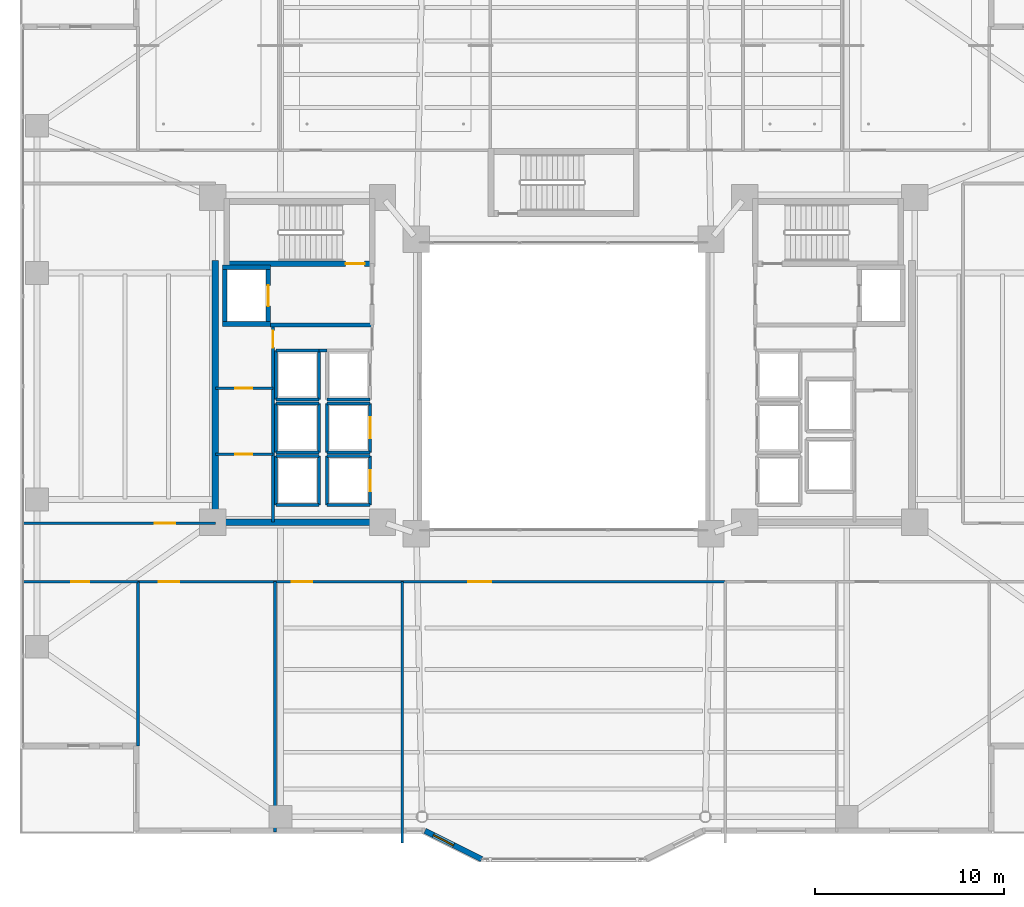
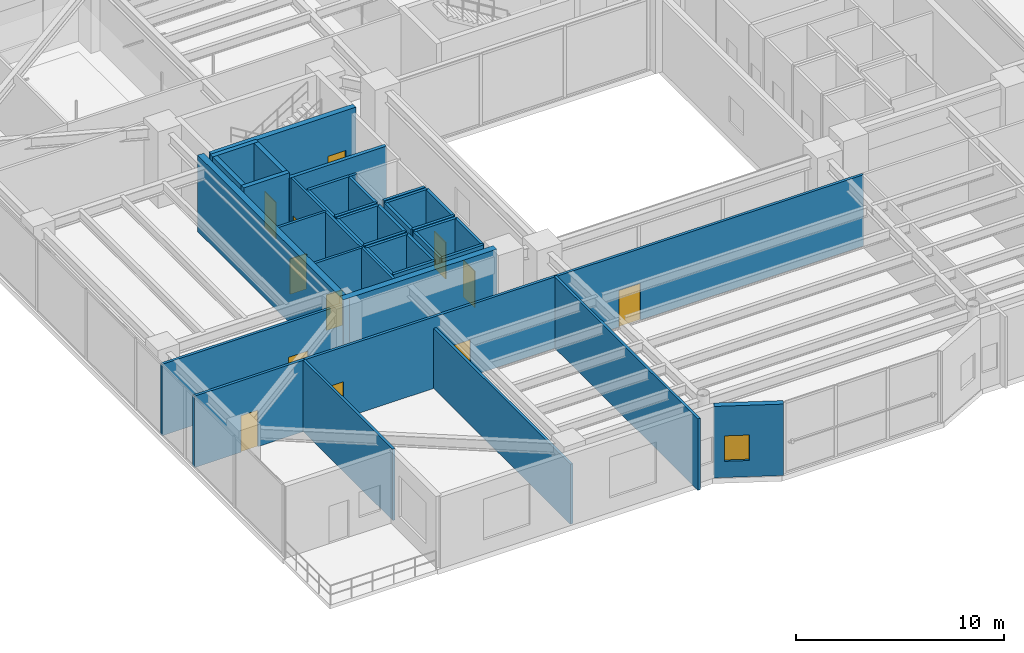
# One storey, part 29 of 39: 41 walls, 12 doors, 1 window, 13 openings.
"""IFC4 building model written with IfcOpenShell, lengths in metres."""

from ifc_helpers import new_model, si_unit, direction, frame, frame_2d, origin, place, context, subcontext, project, spatial, rectangle, extrude, material, layer, layer_set, type_object, element, fill, save


model = new_model("IFC4")

# Units and contexts
model_context = context("Model", 3, precision=1e-05, world=origin(), true_north=direction((0.0, 1.0)))
body_context = subcontext(model_context, "Body", "Model", "MODEL_VIEW")
ifc_project = project(units=[si_unit("LENGTHUNIT", "METRE"), si_unit("AREAUNIT", "SQUARE_METRE"), si_unit("VOLUMEUNIT", "CUBIC_METRE"), si_unit("PLANEANGLEUNIT", "RADIAN"), si_unit("MASSUNIT", "GRAM", prefix="KILO")], contexts=[model_context])

# Site, building, storey
site_placement = place(None, origin())
site = spatial("IfcSite", under=ifc_project, at=site_placement, CompositionType="ELEMENT")
building_placement = place(site_placement, origin())
building = spatial("IfcBuilding", under=site, at=building_placement, Name="Tarnavaz Court Tower", CompositionType="ELEMENT")
storey_placement = place(building_placement, frame((0.0, 0.0, 68.699951171875)))
storey = spatial("IfcBuildingStorey", under=building, at=storey_placement, Name="L18", CompositionType="ELEMENT", Elevation=68.699951171875)

# Wall
ifc_material_1 = material(Name="Concrete C60/75", Category="concrete")
ifc_layer_1 = layer(ifc_material_1, 0.25)
ifc_layer_set_1 = layer_set([ifc_layer_1], Name="Concrete C60/75")
wall_type_1 = type_object("IfcWallType", Name="WL-CORE-250-C60", PredefinedType="SHEAR", material=ifc_layer_set_1)
wall_1_placement = place(storey_placement, frame((-17.949951171875, 3.175048828125, 0.0), z_axis=(0.0, 0.0, 1.0), x_axis=(0.0, 1.0, 0.0)))
element("IfcWall", 1, at=wall_1_placement, inside=storey, type_object=wall_type_1, Name="L18 Lift FL-W1 Shaft Wall 017", PredefinedType="SHEAR", context=body_context, shape_type="SweptSolid", body=[
    extrude(rectangle(XDim=3.25, YDim=0.25, at=frame_2d((1.625, 0.0))), origin(), (0.0, 0.0, 1.0), 4.5),
])

# Wall, opening, door
wall_2_placement = place(storey_placement, frame((-15.64990234375, 3.175048828125, 0.0), z_axis=(0.0, 0.0, 1.0), x_axis=(0.0, 1.0, 0.0)))
wall_2 = element("IfcWall", 2, at=wall_2_placement, inside=storey, type_object=wall_type_1, Name="L18 Lift FL-W1 Shaft Wall 018", PredefinedType="SHEAR", context=body_context, shape_type="SweptSolid", body=[
    extrude(rectangle(XDim=3.25, YDim=0.25, at=frame_2d((1.625, 0.0))), origin(), (0.0, 0.0, 1.0), 4.5),
])
opening_1_placement = place(wall_2_placement, frame((1.074951171875, 0.0, 0.0)))
opening_1 = element("IfcOpeningElement", 3, at=opening_1_placement, cuts=wall_2, Name="Opening LD1", PredefinedType="OPENING", context=body_context, shape_type="SweptSolid", body=[
    extrude(rectangle(XDim=1.10009765625, YDim=2.14990234375, at=frame_2d((0.550048828125, 1.074951171875))), frame((0.0, 0.135009765625, 0.0), z_axis=(0.0, -1.0, 0.0), x_axis=(1.0, 0.0, 0.0)), (0.0, 0.0, 1.0), 0.27001953125),
])
ifc_material_2 = material(Name="Stainless Steel", Category="steel")
door_type_1 = type_object("IfcDoorType", Name="DR-LD-1100", OperationType="NOTDEFINED", PredefinedType="DOOR", material=ifc_material_2)
door_1_placement = place(opening_1_placement, origin())
door_1 = element("IfcDoor", 4, at=door_1_placement, inside=storey, type_object=door_type_1, Name="L18 Lift Landing Door LD-FL-W1", OperationType="SLIDING_TO_LEFT", OverallHeight=2.14990234375, OverallWidth=1.10009765625, PredefinedType="DOOR", context=body_context, shape_type="SweptSolid", body=[
    extrude(rectangle(XDim=1.10009765625, YDim=2.14990234375, at=frame_2d((0.550048828125, 1.074951171875))), frame((0.0, 0.02490234375, 0.0), z_axis=(0.0, -1.0, 0.0), x_axis=(1.0, 0.0, 0.0)), (0.0, 0.0, 1.0), 0.050048828125),
])
fill(opening_1, door_1)

# Walls
for number, where, z_axis, x_axis, name in (
    (5, (-18.074951171875, 3.300048828125, 0.0), (0.0, 0.0, 1.0), (1.0, 0.0, 0.0), "L18 Lift FL-W1 Shaft Wall 019"),
    (6, (-18.074951171875, 6.300048828125, 0.0), (0.0, 0.0, 1.0), (1.0, 0.0, 0.0), "L18 Lift FL-W1 Shaft Wall 020"),
):
    element("IfcWall", number, at=place(storey_placement, frame(where, z_axis=z_axis, x_axis=x_axis)), inside=storey, type_object=wall_type_1, Name=name, PredefinedType="SHEAR", context=body_context, shape_type="SweptSolid", body=[
        extrude(rectangle(XDim=2.550048828125, YDim=0.25, at=frame_2d((1.27490234375, 0.0))), origin(), (0.0, 0.0, 1.0), 4.5),
    ])

# Wall, opening, door
ifc_layer_2 = layer(ifc_material_1, 0.300048828125)
ifc_layer_set_2 = layer_set([ifc_layer_2], Name="Concrete C60/75")
wall_type_2 = type_object("IfcWallType", Name="WL-CORE-300-C60", PredefinedType="SHEAR", material=ifc_layer_set_2)
wall_3_placement = place(storey_placement, frame((-18.0, 6.5, 0.0), z_axis=(0.0, 0.0, 1.0), x_axis=(1.0, 0.0, 0.0)))
wall_3 = element("IfcWall", 7, at=wall_3_placement, inside=storey, type_object=wall_type_2, Name="L18 West Stair Core Wall 002", PredefinedType="SHEAR", context=body_context, shape_type="SweptSolid", body=[
    extrude(rectangle(XDim=8.0, YDim=0.300048828125, at=frame_2d((4.0, 0.0))), origin(), (0.0, 0.0, 1.0), 4.5),
])
opening_2_placement = place(wall_3_placement, frame((6.449951171875, 0.0, 0.0)))
opening_2 = element("IfcOpeningElement", 8, at=opening_2_placement, cuts=wall_3, Name="Opening D01", PredefinedType="OPENING", context=body_context, shape_type="SweptSolid", body=[
    extrude(rectangle(XDim=1.0, YDim=2.14990234375, at=frame_2d((0.5, 1.074951171875))), frame((0.0, 0.159912109375, 0.0), z_axis=(0.0, -1.0, 0.0), x_axis=(1.0, 0.0, 0.0)), (0.0, 0.0, 1.0), 0.320068359375),
])
ifc_material_3 = material(Name="Fire-Rated Hardwood Timber Core", Category="wood")
door_type_2 = type_object("IfcDoorType", Name="DR-FD90-1000", OperationType="NOTDEFINED", PredefinedType="DOOR", material=ifc_material_3)
door_2_placement = place(opening_2_placement, origin())
door_2 = element("IfcDoor", 9, at=door_2_placement, inside=storey, type_object=door_type_2, Name="L18 Stair ST-W1 Exit Door", OperationType="SINGLE_SWING_LEFT", OverallHeight=2.14990234375, OverallWidth=1.0, PredefinedType="DOOR", context=body_context, shape_type="SweptSolid", body=[
    extrude(rectangle(XDim=1.0, YDim=2.14990234375, at=frame_2d((0.5, 1.074951171875))), frame((0.0, 0.02490234375, 0.0), z_axis=(0.0, -1.0, 0.0), x_axis=(1.0, 0.0, 0.0)), (0.0, 0.0, 1.0), 0.050048828125),
])
fill(opening_2, door_2)

# Walls
ifc_layer_3 = layer(ifc_material_1, 0.35009765625)
ifc_layer_set_3 = layer_set([ifc_layer_3], Name="Concrete C60/75")
wall_type_3 = type_object("IfcWallType", Name="WL-CORE-350-C60", PredefinedType="SHEAR", material=ifc_layer_set_3)
wall_4_placement = place(storey_placement, frame((-18.449951171875, -7.375, 0.0), z_axis=(0.0, 0.0, 1.0), x_axis=(0.0, 1.0, 0.0)))
element("IfcWall", 10, at=wall_4_placement, inside=storey, type_object=wall_type_3, Name="L18 West Core Shear Wall 069", PredefinedType="SHEAR", context=body_context, shape_type="SweptSolid", body=[
    extrude(rectangle(XDim=14.050048828125, YDim=0.35009765625, at=frame_2d((7.02490234375, 0.0))), origin(), (0.0, 0.0, 1.0), 4.5),
])
wall_5_placement = place(storey_placement, frame((-18.625, -7.199951171875, 0.0), z_axis=(0.0, 0.0, 1.0), x_axis=(1.0, 0.0, 0.0)))
element("IfcWall", 11, at=wall_5_placement, inside=storey, type_object=wall_type_3, Name="L18 West Core South Shear Wall 070", PredefinedType="SHEAR", context=body_context, shape_type="SweptSolid", body=[
    extrude(rectangle(XDim=8.550048828125, YDim=0.35009765625, at=frame_2d((4.27490234375, 0.0))), origin(), (0.0, 0.0, 1.0), 4.5),
])

# Wall, opening, window
ifc_material_4 = material(Name="Precast Concrete C40/50", Category="concrete")
ifc_layer_4 = layer(ifc_material_4, 0.300048828125)
ifc_layer_set_4 = layer_set([ifc_layer_4], Name="Precast Concrete C40/50")
wall_type_4 = type_object("IfcWallType", Name="WL-EXT-300", PredefinedType="SOLIDWALL", material=ifc_layer_set_4)
wall_6_placement = place(storey_placement, frame((-4.35009765625, -25.050048828125, 0.0), z_axis=(0.0, 0.0, 1.0), x_axis=(-0.894427191, 0.4472135955, 0.0)))
wall_6 = element("IfcWall", 12, at=wall_6_placement, inside=storey, type_object=wall_type_4, Name="L18 Exterior Terracotta Facade Wall 18", PredefinedType="SOLIDWALL", context=body_context, shape_type="SweptSolid", body=[
    extrude(rectangle(XDim=3.35400390625, YDim=0.300048828125, at=frame_2d((1.677001953125, 0.0))), origin(), (0.0, 0.0, 1.0), 4.199951171875),
])
opening_3_placement = place(wall_6_placement, frame((1.65283203125, 0.0, 0.949951171875)))
opening_3 = element("IfcOpeningElement", 13, at=opening_3_placement, cuts=wall_6, Name="Opening W05", PredefinedType="OPENING", context=body_context, shape_type="SweptSolid", body=[
    extrude(rectangle(XDim=1.199951171875, YDim=1.5, at=frame_2d((0.60009765625, 0.75))), frame((0.0, 0.159912109375, 0.0), z_axis=(0.0, -1.0, 0.0), x_axis=(1.0, 0.0, 0.0)), (0.0, 0.0, 1.0), 0.320068359375),
])
ifc_material_5 = material(Name="Double-Glazed Solar Low-E Glass", Category="glass")
window_type = type_object("IfcWindowType", Name="WN-APT-1200", PartitioningType="SINGLE_PANEL", PredefinedType="WINDOW", material=ifc_material_5)
window_placement = place(opening_3_placement, origin())
window = element("IfcWindow", 14, at=window_placement, inside=storey, type_object=window_type, Name="L18 L18 Central Iwan Cultural Exhibition Hall Window", OverallHeight=1.5, OverallWidth=1.199951171875, PartitioningType="SINGLE_PANEL", PredefinedType="WINDOW", context=body_context, shape_type="SweptSolid", body=[
    extrude(rectangle(XDim=1.199951171875, YDim=1.5, at=frame_2d((0.60009765625, 0.75))), frame((0.0, 0.030029296875, 0.0), z_axis=(0.0, -1.0, 0.0), x_axis=(1.0, 0.0, 0.0)), (0.0, 0.0, 1.0), 0.06005859375),
])
fill(opening_3, window)

# Wall, openings, doors
ifc_material_6 = material(Name="Gypsum Fire-Board on Acoustic Metal Stud", Category="masonry")
ifc_layer_5 = layer(ifc_material_6, 0.14990234375)
ifc_layer_set_5 = layer_set([ifc_layer_5], Name="Gypsum Fire-Board on Acoustic Metal Stud")
wall_type_5 = type_object("IfcWallType", Name="WL-FIRE-150", PredefinedType="PARTITIONING", material=ifc_layer_set_5)
wall_7_placement = place(storey_placement, frame((-22.550048828125, -10.35009765625, 0.0), z_axis=(0.0, 0.0, 1.0), x_axis=(1.0, 0.0, 0.0)))
wall_7 = element("IfcWall", 15, at=wall_7_placement, inside=storey, type_object=wall_type_5, Name="L18 SW Corridor Wall 085", PredefinedType="PARTITIONING", context=body_context, shape_type="SweptSolid", body=[
    extrude(rectangle(XDim=14.0, YDim=0.14990234375, at=frame_2d((7.0, 0.0))), origin(), (0.0, 0.0, 1.0), 4.199951171875),
])
opening_4_placement = place(wall_7_placement, frame((1.10009765625, 0.0, 0.0)))
opening_4 = element("IfcOpeningElement", 16, at=opening_4_placement, cuts=wall_7, Name="Opening D12", PredefinedType="OPENING", context=body_context, shape_type="SweptSolid", body=[
    extrude(rectangle(XDim=1.080078125, YDim=2.14990234375, at=frame_2d((0.5400390625, 1.074951171875))), frame((0.0, 0.0849609375, 0.0), z_axis=(0.0, -1.0, 0.0), x_axis=(1.0, 0.0, 0.0)), (0.0, 0.0, 1.0), 0.169921875),
])
opening_5_placement = place(wall_7_placement, frame((8.154052734375, 0.0, 0.0)))
opening_5 = element("IfcOpeningElement", 17, at=opening_5_placement, cuts=wall_7, Name="Opening D12", PredefinedType="OPENING", context=body_context, shape_type="SweptSolid", body=[
    extrude(rectangle(XDim=1.080078125, YDim=2.14990234375, at=frame_2d((0.5400390625, 1.074951171875))), frame((0.0, 0.0849609375, 0.0), z_axis=(0.0, -1.0, 0.0), x_axis=(1.0, 0.0, 0.0)), (0.0, 0.0, 1.0), 0.169921875),
])
ifc_material_7 = material(Name="Engineered Oak Timber", Category="wood")
door_type_3 = type_object("IfcDoorType", Name="DR-INT-1100", OperationType="NOTDEFINED", PredefinedType="DOOR", material=ifc_material_7)
door_3_placement = place(opening_4_placement, origin())
door_3 = element("IfcDoor", 18, at=door_3_placement, inside=storey, type_object=door_type_3, Name="L18 Children Playroom Studio Door", OperationType="SINGLE_SWING_LEFT", OverallHeight=2.14990234375, OverallWidth=1.080078125, PredefinedType="DOOR", context=body_context, shape_type="SweptSolid", body=[
    extrude(rectangle(XDim=1.080078125, YDim=2.14990234375, at=frame_2d((0.5400390625, 1.074951171875))), frame((0.0, 0.02490234375, 0.0), z_axis=(0.0, -1.0, 0.0), x_axis=(1.0, 0.0, 0.0)), (0.0, 0.0, 1.0), 0.050048828125),
])
fill(opening_4, door_3)
door_4_placement = place(opening_5_placement, origin())
door_4 = element("IfcDoor", 19, at=door_4_placement, inside=storey, type_object=door_type_3, Name="L18 SW Study Room Door", OperationType="SINGLE_SWING_RIGHT", OverallHeight=2.14990234375, OverallWidth=1.080078125, PredefinedType="DOOR", context=body_context, shape_type="SweptSolid", body=[
    extrude(rectangle(XDim=1.080078125, YDim=2.14990234375, at=frame_2d((0.5400390625, 1.074951171875))), frame((0.0, 0.02490234375, 0.0), z_axis=(0.0, -1.0, 0.0), x_axis=(1.0, 0.0, 0.0)), (0.0, 0.0, 1.0), 0.050048828125),
])
fill(opening_5, door_4)

# Wall, opening, door
wall_8_placement = place(storey_placement, frame((-8.550048828125, -10.35009765625, 0.0), z_axis=(0.0, 0.0, 1.0), x_axis=(1.0, 0.0, 0.0)))
wall_8 = element("IfcWall", 20, at=wall_8_placement, inside=storey, type_object=wall_type_5, Name="L18 South Ring Corridor Wall 086", PredefinedType="PARTITIONING", context=body_context, shape_type="SweptSolid", body=[
    extrude(rectangle(XDim=17.10009765625, YDim=0.14990234375, at=frame_2d((8.550048828125, 0.0))), origin(), (0.0, 0.0, 1.0), 4.199951171875),
])
opening_6_placement = place(wall_8_placement, frame((3.5, 0.0, 0.0)))
opening_6 = element("IfcOpeningElement", 21, at=opening_6_placement, cuts=wall_8, Name="Opening D11", PredefinedType="OPENING", context=body_context, shape_type="SweptSolid", body=[
    extrude(rectangle(XDim=1.199951171875, YDim=2.14990234375, at=frame_2d((0.60009765625, 1.074951171875))), frame((0.0, 0.0849609375, 0.0), z_axis=(0.0, -1.0, 0.0), x_axis=(1.0, 0.0, 0.0)), (0.0, 0.0, 1.0), 0.169921875),
])
door_type_4 = type_object("IfcDoorType", Name="DR-INT-1200", OperationType="NOTDEFINED", PredefinedType="DOOR", material=ifc_material_7)
door_5_placement = place(opening_6_placement, origin())
door_5 = element("IfcDoor", 22, at=door_5_placement, inside=storey, type_object=door_type_4, Name="L18 Central Iwan Hall Door", OperationType="SINGLE_SWING_LEFT", OverallHeight=2.14990234375, OverallWidth=1.199951171875, PredefinedType="DOOR", context=body_context, shape_type="SweptSolid", body=[
    extrude(rectangle(XDim=1.199951171875, YDim=2.14990234375, at=frame_2d((0.60009765625, 1.074951171875))), frame((0.0, 0.02490234375, 0.0), z_axis=(0.0, -1.0, 0.0), x_axis=(1.0, 0.0, 0.0)), (0.0, 0.0, 1.0), 0.050048828125),
])
fill(opening_6, door_5)

wall_9_placement = place(storey_placement, frame((-28.679931640625, -7.25, 0.0), z_axis=(0.0, 0.0, 1.0), x_axis=(1.0, 0.0, 0.0)))
wall_9 = element("IfcWall", 23, at=wall_9_placement, inside=storey, type_object=wall_type_5, Name="L18 Interior Partition 098", PredefinedType="PARTITIONING", context=body_context, shape_type="SweptSolid", body=[
    extrude(rectangle(XDim=10.22998046875, YDim=0.14990234375, at=frame_2d((5.114990234375, 0.0))), origin(), (0.0, 0.0, 1.0), 4.199951171875),
])
opening_7_placement = place(wall_9_placement, frame((7.030029296875, 0.0, 0.0)))
opening_7 = element("IfcOpeningElement", 24, at=opening_7_placement, cuts=wall_9, Name="Opening D12", PredefinedType="OPENING", context=body_context, shape_type="SweptSolid", body=[
    extrude(rectangle(XDim=1.080078125, YDim=2.14990234375, at=frame_2d((0.5400390625, 1.074951171875))), frame((0.0, 0.0849609375, 0.0), z_axis=(0.0, -1.0, 0.0), x_axis=(1.0, 0.0, 0.0)), (0.0, 0.0, 1.0), 0.169921875),
])
door_6_placement = place(opening_7_placement, origin())
door_6 = element("IfcDoor", 25, at=door_6_placement, inside=storey, type_object=door_type_3, Name="L18 West Panoramic Lounge Door", OperationType="SINGLE_SWING_RIGHT", OverallHeight=2.14990234375, OverallWidth=1.080078125, PredefinedType="DOOR", context=body_context, shape_type="SweptSolid", body=[
    extrude(rectangle(XDim=1.080078125, YDim=2.14990234375, at=frame_2d((0.5400390625, 1.074951171875))), frame((0.0, 0.02490234375, 0.0), z_axis=(0.0, -1.0, 0.0), x_axis=(1.0, 0.0, 0.0)), (0.0, 0.0, 1.0), 0.050048828125),
])
fill(opening_7, door_6)

wall_10_placement = place(storey_placement, frame((-28.679931640625, -10.35009765625, 0.0), z_axis=(0.0, 0.0, 1.0), x_axis=(1.0, 0.0, 0.0)))
wall_10 = element("IfcWall", 26, at=wall_10_placement, inside=storey, type_object=wall_type_5, Name="L18 Interior Partition 108", PredefinedType="PARTITIONING", context=body_context, shape_type="SweptSolid", body=[
    extrude(rectangle(XDim=6.1298828125, YDim=0.14990234375, at=frame_2d((3.06494140625, 0.0))), origin(), (0.0, 0.0, 1.0), 4.199951171875),
])
opening_8_placement = place(wall_10_placement, frame((2.590087890625, 0.0, 0.0)))
opening_8 = element("IfcOpeningElement", 27, at=opening_8_placement, cuts=wall_10, Name="Opening D13", PredefinedType="OPENING", context=body_context, shape_type="SweptSolid", body=[
    extrude(rectangle(XDim=0.949951171875, YDim=2.14990234375, at=frame_2d((0.47509765625, 1.074951171875))), frame((0.0, 0.0849609375, 0.0), z_axis=(0.0, -1.0, 0.0), x_axis=(1.0, 0.0, 0.0)), (0.0, 0.0, 1.0), 0.169921875),
])
door_type_5 = type_object("IfcDoorType", Name="DR-INT-950", OperationType="NOTDEFINED", PredefinedType="DOOR", material=ifc_material_7)
door_7_placement = place(opening_8_placement, origin())
door_7 = element("IfcDoor", 28, at=door_7_placement, inside=storey, type_object=door_type_5, Name="L18 SW Terrace Salon Door", OperationType="SINGLE_SWING_RIGHT", OverallHeight=2.14990234375, OverallWidth=0.949951171875, PredefinedType="DOOR", context=body_context, shape_type="SweptSolid", body=[
    extrude(rectangle(XDim=0.949951171875, YDim=2.14990234375, at=frame_2d((0.47509765625, 1.074951171875))), frame((0.0, 0.02490234375, 0.0), z_axis=(0.0, -1.0, 0.0), x_axis=(1.0, 0.0, 0.0)), (0.0, 0.0, 1.0), 0.050048828125),
])
fill(opening_8, door_7)

# Walls
ifc_material_8 = material(Name="Autoclaved Aerated Concrete Blockwork", Category="masonry")
ifc_layer_6 = layer(ifc_material_8, 0.199951171875)
ifc_layer_set_6 = layer_set([ifc_layer_6], Name="Autoclaved Aerated Concrete Blockwork")
wall_type_6 = type_object("IfcWallType", Name="WL-FIRE-200", PredefinedType="SOLIDWALL", material=ifc_layer_set_6)
wall_11_placement = place(storey_placement, frame((-15.550048828125, 3.25, 0.0), z_axis=(0.0, 0.0, 1.0), x_axis=(1.0, 0.0, 0.0)))
element("IfcWall", 29, at=wall_11_placement, inside=storey, type_object=wall_type_6, Name="L18 West Firefighting Lobby Wall 013", PredefinedType="SOLIDWALL", context=body_context, shape_type="SweptSolid", body=[
    extrude(rectangle(XDim=5.400146484375, YDim=0.199951171875, at=frame_2d((2.7001953125, 0.0))), origin(), (0.0, 0.0, 1.0), 4.199951171875),
])
ifc_material_9 = material(Name="Gypsum Plasterboard Acoustic Partition", Category="masonry")
ifc_layer_7 = layer(ifc_material_9, 0.139892578125)
ifc_layer_set_7 = layer_set([ifc_layer_7], Name="Gypsum Plasterboard Acoustic Partition")
wall_type_7 = type_object("IfcWallType", Name="WL-PART-150", PredefinedType="PARTITIONING", material=ifc_layer_set_7)
wall_12_placement = place(storey_placement, frame((-12.949951171875, 1.89990234375, 0.0), z_axis=(0.0, 0.0, 1.0), x_axis=(1.0, 0.0, 0.0)))
element("IfcWall", 30, at=wall_12_placement, inside=storey, type_object=wall_type_7, Name="L18 Interior Partition 073", PredefinedType="PARTITIONING", context=body_context, shape_type="SweptSolid", body=[
    extrude(rectangle(XDim=0.39990234375, YDim=0.139892578125, at=frame_2d((0.199951171875, 0.0))), origin(), (0.0, 0.0, 1.0), 4.199951171875),
])

# Wall, opening, door
wall_13_placement = place(storey_placement, frame((-15.39990234375, -7.199951171875, 0.0), z_axis=(0.0, 0.0, 1.0), x_axis=(0.0, 1.0, 0.0)))
wall_13 = element("IfcWall", 31, at=wall_13_placement, inside=storey, type_object=wall_type_7, Name="L18 Interior Partition 075", PredefinedType="PARTITIONING", context=body_context, shape_type="SweptSolid", body=[
    extrude(rectangle(XDim=10.449951171875, YDim=0.139892578125, at=frame_2d((5.22509765625, 0.0))), origin(), (0.0, 0.0, 1.0), 4.199951171875),
])
opening_9_placement = place(wall_13_placement, frame((9.25, 0.0, 0.0)))
opening_9 = element("IfcOpeningElement", 32, at=opening_9_placement, cuts=wall_13, Name="Opening D09", PredefinedType="OPENING", context=body_context, shape_type="SweptSolid", body=[
    extrude(rectangle(XDim=0.89990234375, YDim=2.080078125, at=frame_2d((0.449951171875, 1.0400390625))), frame((0.0, 0.079833984375, 0.0), z_axis=(0.0, -1.0, 0.0), x_axis=(1.0, 0.0, 0.0)), (0.0, 0.0, 1.0), 0.159912109375),
])
door_type_6 = type_object("IfcDoorType", Name="DR-FD30-900", OperationType="NOTDEFINED", PredefinedType="DOOR", material=ifc_material_3)
door_8_placement = place(opening_9_placement, origin())
door_8 = element("IfcDoor", 33, at=door_8_placement, inside=storey, type_object=door_type_6, Name="L18 West ICT Comms Door", OperationType="SINGLE_SWING_LEFT", OverallHeight=2.080078125, OverallWidth=0.89990234375, PredefinedType="DOOR", context=body_context, shape_type="SweptSolid", body=[
    extrude(rectangle(XDim=0.89990234375, YDim=2.080078125, at=frame_2d((0.449951171875, 1.0400390625))), frame((0.0, 0.02490234375, 0.0), z_axis=(0.0, -1.0, 0.0), x_axis=(1.0, 0.0, 0.0)), (0.0, 0.0, 1.0), 0.050048828125),
])
fill(opening_9, door_8)

wall_14_placement = place(storey_placement, frame((-18.449951171875, -3.60009765625, 0.0), z_axis=(0.0, 0.0, 1.0), x_axis=(1.0, 0.0, 0.0)))
wall_14 = element("IfcWall", 34, at=wall_14_placement, inside=storey, type_object=wall_type_7, Name="L18 Interior Partition 076", PredefinedType="PARTITIONING", context=body_context, shape_type="SweptSolid", body=[
    extrude(rectangle(XDim=3.050048828125, YDim=0.139892578125, at=frame_2d((1.52490234375, 0.0))), origin(), (0.0, 0.0, 1.0), 4.199951171875),
])
opening_10_placement = place(wall_14_placement, frame((1.050048828125, 0.0, 0.0)))
opening_10 = element("IfcOpeningElement", 35, at=opening_10_placement, cuts=wall_14, Name="Opening D09", PredefinedType="OPENING", context=body_context, shape_type="SweptSolid", body=[
    extrude(rectangle(XDim=0.89990234375, YDim=2.080078125, at=frame_2d((0.449951171875, 1.0400390625))), frame((0.0, 0.079833984375, 0.0), z_axis=(0.0, -1.0, 0.0), x_axis=(1.0, 0.0, 0.0)), (0.0, 0.0, 1.0), 0.159912109375),
])
door_9_placement = place(opening_10_placement, origin())
door_9 = element("IfcDoor", 36, at=door_9_placement, inside=storey, type_object=door_type_6, Name="L18 West Electrical Closet Door", OperationType="SINGLE_SWING_LEFT", OverallHeight=2.080078125, OverallWidth=0.89990234375, PredefinedType="DOOR", context=body_context, shape_type="SweptSolid", body=[
    extrude(rectangle(XDim=0.89990234375, YDim=2.080078125, at=frame_2d((0.449951171875, 1.0400390625))), frame((0.0, 0.02490234375, 0.0), z_axis=(0.0, -1.0, 0.0), x_axis=(1.0, 0.0, 0.0)), (0.0, 0.0, 1.0), 0.050048828125),
])
fill(opening_10, door_9)

wall_15_placement = place(storey_placement, frame((-18.449951171875, -0.10009765625, 0.0), z_axis=(0.0, 0.0, 1.0), x_axis=(1.0, 0.0, 0.0)))
wall_15 = element("IfcWall", 37, at=wall_15_placement, inside=storey, type_object=wall_type_7, Name="L18 Interior Partition 077", PredefinedType="PARTITIONING", context=body_context, shape_type="SweptSolid", body=[
    extrude(rectangle(XDim=3.050048828125, YDim=0.139892578125, at=frame_2d((1.52490234375, 0.0))), origin(), (0.0, 0.0, 1.0), 4.199951171875),
])
opening_11_placement = place(wall_15_placement, frame((1.050048828125, 0.0, 0.0)))
opening_11 = element("IfcOpeningElement", 38, at=opening_11_placement, cuts=wall_15, Name="Opening D09", PredefinedType="OPENING", context=body_context, shape_type="SweptSolid", body=[
    extrude(rectangle(XDim=0.89990234375, YDim=2.080078125, at=frame_2d((0.449951171875, 1.0400390625))), frame((0.0, 0.079833984375, 0.0), z_axis=(0.0, -1.0, 0.0), x_axis=(1.0, 0.0, 0.0)), (0.0, 0.0, 1.0), 0.159912109375),
])
door_10_placement = place(opening_11_placement, origin())
door_10 = element("IfcDoor", 39, at=door_10_placement, inside=storey, type_object=door_type_6, Name="L18 West Chilled-Water Riser Door", OperationType="SINGLE_SWING_RIGHT", OverallHeight=2.080078125, OverallWidth=0.89990234375, PredefinedType="DOOR", context=body_context, shape_type="SweptSolid", body=[
    extrude(rectangle(XDim=0.89990234375, YDim=2.080078125, at=frame_2d((0.449951171875, 1.0400390625))), frame((0.0, 0.02490234375, 0.0), z_axis=(0.0, -1.0, 0.0), x_axis=(1.0, 0.0, 0.0)), (0.0, 0.0, 1.0), 0.050048828125),
])
fill(opening_11, door_10)

# Walls
wall_16_placement = place(storey_placement, frame((-15.2958984375, -23.60009765625, 0.0), z_axis=(0.0, 0.0, 1.0), x_axis=(0.0, 1.0, 0.0)))
element("IfcWall", 40, at=wall_16_placement, inside=storey, type_object=wall_type_7, Name="L18 Interior Partition 094", PredefinedType="PARTITIONING", context=body_context, shape_type="SweptSolid", body=[
    extrude(rectangle(XDim=13.25, YDim=0.139892578125, at=frame_2d((6.625, 0.0))), origin(), (0.0, 0.0, 1.0), 3.53515625),
])
wall_17_placement = place(storey_placement, frame((-8.550048828125, -24.2041015625, 0.0), z_axis=(0.0, 0.0, 1.0), x_axis=(0.0, 1.0, 0.0)))
element("IfcWall", 41, at=wall_17_placement, inside=storey, type_object=wall_type_7, Name="L18 Interior Partition 095", PredefinedType="PARTITIONING", context=body_context, shape_type="SweptSolid", body=[
    extrude(rectangle(XDim=13.85400390625, YDim=0.139892578125, at=frame_2d((6.927001953125, 0.0))), origin(), (0.0, 0.0, 1.0), 4.199951171875),
])
wall_18_placement = place(storey_placement, frame((-22.550048828125, -19.050048828125, 0.0), z_axis=(0.0, 0.0, 1.0), x_axis=(0.0, 1.0, 0.0)))
element("IfcWall", 42, at=wall_18_placement, inside=storey, type_object=wall_type_7, Name="L18 Interior Partition 102", PredefinedType="PARTITIONING", context=body_context, shape_type="SweptSolid", body=[
    extrude(rectangle(XDim=8.699951171875, YDim=0.139892578125, at=frame_2d((4.35009765625, 0.0))), origin(), (0.0, 0.0, 1.0), 4.199951171875),
])
ifc_layer_8 = layer(ifc_material_8, 0.159912109375)
ifc_layer_set_8 = layer_set([ifc_layer_8], Name="Autoclaved Aerated Concrete Blockwork")
wall_type_8 = type_object("IfcWallType", Name="WL-SHAFT-150", PredefinedType="SOLIDWALL", material=ifc_layer_set_8)
wall_19_placement = place(storey_placement, frame((-12.550048828125, -6.300048828125, 0.0), z_axis=(0.0, 0.0, 1.0), x_axis=(0.0, 1.0, 0.0)))
element("IfcWall", 43, at=wall_19_placement, inside=storey, type_object=wall_type_8, Name="L18 Lift PL-L1 Shaft Wall 021", PredefinedType="SOLIDWALL", context=body_context, shape_type="SweptSolid", body=[
    extrude(rectangle(XDim=2.60009765625, YDim=0.159912109375, at=frame_2d((1.300048828125, 0.0))), origin(), (0.0, 0.0, 1.0), 4.199951171875),
])

# Wall, opening, door
wall_20_placement = place(storey_placement, frame((-10.25, -6.300048828125, 0.0), z_axis=(0.0, 0.0, 1.0), x_axis=(0.0, 1.0, 0.0)))
wall_20 = element("IfcWall", 44, at=wall_20_placement, inside=storey, type_object=wall_type_8, Name="L18 Lift PL-L1 Shaft Wall 022", PredefinedType="SOLIDWALL", context=body_context, shape_type="SweptSolid", body=[
    extrude(rectangle(XDim=2.60009765625, YDim=0.159912109375, at=frame_2d((1.300048828125, 0.0))), origin(), (0.0, 0.0, 1.0), 4.199951171875),
])
opening_12_placement = place(wall_20_placement, frame((0.75, 0.0, 0.0)))
opening_12 = element("IfcOpeningElement", 45, at=opening_12_placement, cuts=wall_20, Name="Opening LD1", PredefinedType="OPENING", context=body_context, shape_type="SweptSolid", body=[
    extrude(rectangle(XDim=1.10009765625, YDim=2.14990234375, at=frame_2d((0.550048828125, 1.074951171875))), frame((0.0, 0.08984375, 0.0), z_axis=(0.0, -1.0, 0.0), x_axis=(1.0, 0.0, 0.0)), (0.0, 0.0, 1.0), 0.179931640625),
])
door_11_placement = place(opening_12_placement, origin())
door_11 = element("IfcDoor", 46, at=door_11_placement, inside=storey, type_object=door_type_1, Name="L18 Lift Landing Door LD-PL-L1", OperationType="SLIDING_TO_LEFT", OverallHeight=2.14990234375, OverallWidth=1.10009765625, PredefinedType="DOOR", context=body_context, shape_type="SweptSolid", body=[
    extrude(rectangle(XDim=1.10009765625, YDim=2.14990234375, at=frame_2d((0.550048828125, 1.074951171875))), frame((0.0, 0.02490234375, 0.0), z_axis=(0.0, -1.0, 0.0), x_axis=(1.0, 0.0, 0.0)), (0.0, 0.0, 1.0), 0.050048828125),
])
fill(opening_12, door_11)

# Walls
for number, where, z_axis, x_axis, name in (
    (47, (-12.550048828125, -6.300048828125, 0.0), (0.0, 0.0, 1.0), (1.0, 0.0, 0.0), "L18 Lift PL-L1 Shaft Wall 023"),
    (48, (-12.550048828125, -3.699951171875, 0.0), (0.0, 0.0, 1.0), (1.0, 0.0, 0.0), "L18 Lift PL-L1 Shaft Wall 024"),
):
    element("IfcWall", number, at=place(storey_placement, frame(where, z_axis=z_axis, x_axis=x_axis)), inside=storey, type_object=wall_type_8, Name=name, PredefinedType="SOLIDWALL", context=body_context, shape_type="SweptSolid", body=[
        extrude(rectangle(XDim=2.300048828125, YDim=0.159912109375, at=frame_2d((1.14990234375, 0.0))), origin(), (0.0, 0.0, 1.0), 4.199951171875),
    ])
wall_21_placement = place(storey_placement, frame((-12.550048828125, -3.5, 0.0), z_axis=(0.0, 0.0, 1.0), x_axis=(0.0, 1.0, 0.0)))
element("IfcWall", 49, at=wall_21_placement, inside=storey, type_object=wall_type_8, Name="L18 Lift PL-L2 Shaft Wall 025", PredefinedType="SOLIDWALL", context=body_context, shape_type="SweptSolid", body=[
    extrude(rectangle(XDim=2.60009765625, YDim=0.159912109375, at=frame_2d((1.300048828125, 0.0))), origin(), (0.0, 0.0, 1.0), 4.199951171875),
])

# Wall, opening, door
wall_22_placement = place(storey_placement, frame((-10.25, -3.5, 0.0), z_axis=(0.0, 0.0, 1.0), x_axis=(0.0, 1.0, 0.0)))
wall_22 = element("IfcWall", 50, at=wall_22_placement, inside=storey, type_object=wall_type_8, Name="L18 Lift PL-L2 Shaft Wall 026", PredefinedType="SOLIDWALL", context=body_context, shape_type="SweptSolid", body=[
    extrude(rectangle(XDim=2.60009765625, YDim=0.159912109375, at=frame_2d((1.300048828125, 0.0))), origin(), (0.0, 0.0, 1.0), 4.199951171875),
])
opening_13_placement = place(wall_22_placement, frame((0.75, 0.0, 0.0)))
opening_13 = element("IfcOpeningElement", 51, at=opening_13_placement, cuts=wall_22, Name="Opening LD1", PredefinedType="OPENING", context=body_context, shape_type="SweptSolid", body=[
    extrude(rectangle(XDim=1.10009765625, YDim=2.14990234375, at=frame_2d((0.550048828125, 1.074951171875))), frame((0.0, 0.08984375, 0.0), z_axis=(0.0, -1.0, 0.0), x_axis=(1.0, 0.0, 0.0)), (0.0, 0.0, 1.0), 0.179931640625),
])
door_12_placement = place(opening_13_placement, origin())
door_12 = element("IfcDoor", 52, at=door_12_placement, inside=storey, type_object=door_type_1, Name="L18 Lift Landing Door LD-PL-L2", OperationType="SLIDING_TO_LEFT", OverallHeight=2.14990234375, OverallWidth=1.10009765625, PredefinedType="DOOR", context=body_context, shape_type="SweptSolid", body=[
    extrude(rectangle(XDim=1.10009765625, YDim=2.14990234375, at=frame_2d((0.550048828125, 1.074951171875))), frame((0.0, 0.02490234375, 0.0), z_axis=(0.0, -1.0, 0.0), x_axis=(1.0, 0.0, 0.0)), (0.0, 0.0, 1.0), 0.050048828125),
])
fill(opening_13, door_12)

# Walls
for number, where, z_axis, x_axis, name in (
    (53, (-12.550048828125, -3.5, 0.0), (0.0, 0.0, 1.0), (1.0, 0.0, 0.0), "L18 Lift PL-L2 Shaft Wall 027"),
    (54, (-12.550048828125, -0.89990234375, 0.0), (0.0, 0.0, 1.0), (1.0, 0.0, 0.0), "L18 Lift PL-L2 Shaft Wall 028"),
    (55, (-12.550048828125, -0.699951171875, 0.0), (0.0, 0.0, 1.0), (1.0, 0.0, 0.0), "L18 Lift PL-L3 Shaft Wall 031"),
):
    element("IfcWall", number, at=place(storey_placement, frame(where, z_axis=z_axis, x_axis=x_axis)), inside=storey, type_object=wall_type_8, Name=name, PredefinedType="SOLIDWALL", context=body_context, shape_type="SweptSolid", body=[
        extrude(rectangle(XDim=2.300048828125, YDim=0.159912109375, at=frame_2d((1.14990234375, 0.0))), origin(), (0.0, 0.0, 1.0), 4.199951171875),
    ])
for number, where, z_axis, x_axis, name in (
    (56, (-15.25, -6.300048828125, 0.0), (0.0, 0.0, 1.0), (0.0, 1.0, 0.0), "L18 Lift PL-H1 Shaft Wall 033"),
    (57, (-12.949951171875, -6.300048828125, 0.0), (0.0, 0.0, 1.0), (0.0, 1.0, 0.0), "L18 Lift PL-H1 Shaft Wall 034"),
):
    element("IfcWall", number, at=place(storey_placement, frame(where, z_axis=z_axis, x_axis=x_axis)), inside=storey, type_object=wall_type_8, Name=name, PredefinedType="SOLIDWALL", context=body_context, shape_type="SweptSolid", body=[
        extrude(rectangle(XDim=2.60009765625, YDim=0.159912109375, at=frame_2d((1.300048828125, 0.0))), origin(), (0.0, 0.0, 1.0), 4.199951171875),
    ])
for number, where, z_axis, x_axis, name in (
    (58, (-15.25, -6.300048828125, 0.0), (0.0, 0.0, 1.0), (1.0, 0.0, 0.0), "L18 Lift PL-H1 Shaft Wall 035"),
    (59, (-15.25, -3.699951171875, 0.0), (0.0, 0.0, 1.0), (1.0, 0.0, 0.0), "L18 Lift PL-H1 Shaft Wall 036"),
):
    element("IfcWall", number, at=place(storey_placement, frame(where, z_axis=z_axis, x_axis=x_axis)), inside=storey, type_object=wall_type_8, Name=name, PredefinedType="SOLIDWALL", context=body_context, shape_type="SweptSolid", body=[
        extrude(rectangle(XDim=2.300048828125, YDim=0.159912109375, at=frame_2d((1.14990234375, 0.0))), origin(), (0.0, 0.0, 1.0), 4.199951171875),
    ])
for number, where, z_axis, x_axis, name in (
    (60, (-15.25, -3.5, 0.0), (0.0, 0.0, 1.0), (0.0, 1.0, 0.0), "L18 Lift PL-H2 Shaft Wall 037"),
    (61, (-12.949951171875, -3.5, 0.0), (0.0, 0.0, 1.0), (0.0, 1.0, 0.0), "L18 Lift PL-H2 Shaft Wall 038"),
):
    element("IfcWall", number, at=place(storey_placement, frame(where, z_axis=z_axis, x_axis=x_axis)), inside=storey, type_object=wall_type_8, Name=name, PredefinedType="SOLIDWALL", context=body_context, shape_type="SweptSolid", body=[
        extrude(rectangle(XDim=2.60009765625, YDim=0.159912109375, at=frame_2d((1.300048828125, 0.0))), origin(), (0.0, 0.0, 1.0), 4.199951171875),
    ])
for number, where, z_axis, x_axis, name in (
    (62, (-15.25, -3.5, 0.0), (0.0, 0.0, 1.0), (1.0, 0.0, 0.0), "L18 Lift PL-H2 Shaft Wall 039"),
    (63, (-15.25, -0.89990234375, 0.0), (0.0, 0.0, 1.0), (1.0, 0.0, 0.0), "L18 Lift PL-H2 Shaft Wall 040"),
):
    element("IfcWall", number, at=place(storey_placement, frame(where, z_axis=z_axis, x_axis=x_axis)), inside=storey, type_object=wall_type_8, Name=name, PredefinedType="SOLIDWALL", context=body_context, shape_type="SweptSolid", body=[
        extrude(rectangle(XDim=2.300048828125, YDim=0.159912109375, at=frame_2d((1.14990234375, 0.0))), origin(), (0.0, 0.0, 1.0), 4.199951171875),
    ])
for number, where, z_axis, x_axis, name in (
    (64, (-15.25, -0.699951171875, 0.0), (0.0, 0.0, 1.0), (0.0, 1.0, 0.0), "L18 Lift PL-H3 Shaft Wall 041"),
    (65, (-12.949951171875, -0.699951171875, 0.0), (0.0, 0.0, 1.0), (0.0, 1.0, 0.0), "L18 Lift PL-H3 Shaft Wall 042"),
):
    element("IfcWall", number, at=place(storey_placement, frame(where, z_axis=z_axis, x_axis=x_axis)), inside=storey, type_object=wall_type_8, Name=name, PredefinedType="SOLIDWALL", context=body_context, shape_type="SweptSolid", body=[
        extrude(rectangle(XDim=2.599853515625, YDim=0.159912109375, at=frame_2d((1.2998046875, 0.0))), origin(), (0.0, 0.0, 1.0), 4.199951171875),
    ])
for number, where, z_axis, x_axis, name in (
    (66, (-15.25, -0.699951171875, 0.0), (0.0, 0.0, 1.0), (1.0, 0.0, 0.0), "L18 Lift PL-H3 Shaft Wall 043"),
    (67, (-15.25, 1.89990234375, 0.0), (0.0, 0.0, 1.0), (1.0, 0.0, 0.0), "L18 Lift PL-H3 Shaft Wall 044"),
):
    element("IfcWall", number, at=place(storey_placement, frame(where, z_axis=z_axis, x_axis=x_axis)), inside=storey, type_object=wall_type_8, Name=name, PredefinedType="SOLIDWALL", context=body_context, shape_type="SweptSolid", body=[
        extrude(rectangle(XDim=2.300048828125, YDim=0.159912109375, at=frame_2d((1.14990234375, 0.0))), origin(), (0.0, 0.0, 1.0), 4.199951171875),
    ])

save(model, "model.ifc")
